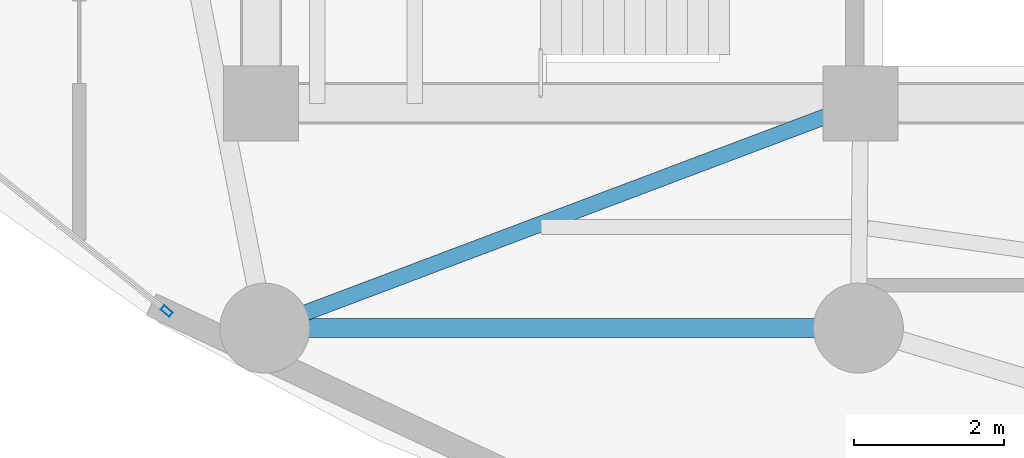
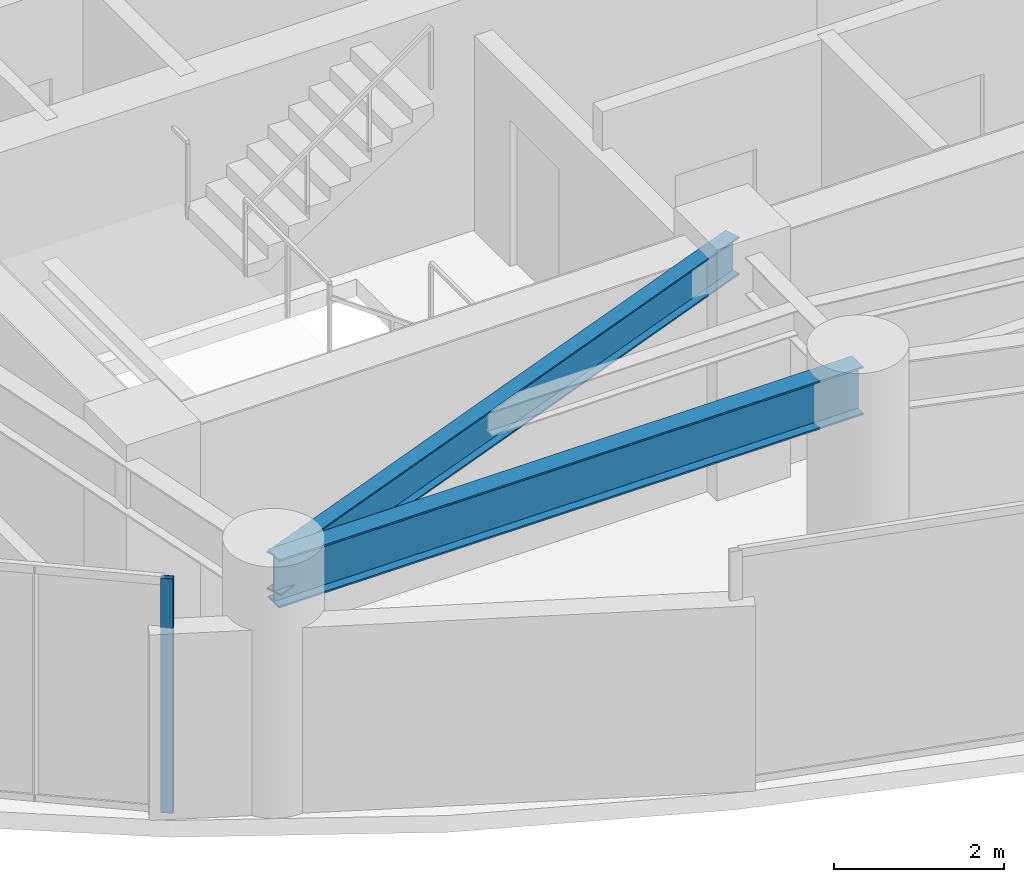
# One storey, part 2 of 34: 2 beams, 1 member, 1 element without a shape of its own.
"""IFC4 building model written with IfcOpenShell, lengths in metres."""

from ifc_helpers import new_model, si_unit, direction, frame, origin, origin_2d, place, context, subcontext, project, spatial, hollow_rectangle, i_section, extrude, material, layer, layer_set, material_profile, profile_set, type_object, element, aggregate, save


model = new_model("IFC4")

# Units and contexts
model_context = context("Model", 3, precision=1e-05, world=origin(), true_north=direction((0.0, 1.0)))
body_context = subcontext(model_context, "Body", "Model", "MODEL_VIEW")
ifc_project = project(units=[si_unit("LENGTHUNIT", "METRE"), si_unit("AREAUNIT", "SQUARE_METRE"), si_unit("VOLUMEUNIT", "CUBIC_METRE"), si_unit("PLANEANGLEUNIT", "RADIAN"), si_unit("MASSUNIT", "GRAM", prefix="KILO")], contexts=[model_context])

# Site, building, storey
site_placement = place(None, origin())
site = spatial("IfcSite", under=ifc_project, at=site_placement, CompositionType="ELEMENT")
building_placement = place(site_placement, origin())
building = spatial("IfcBuilding", under=site, at=building_placement, Name="Kazevale Care Tower and Concert Hall", CompositionType="ELEMENT")
storey_placement = place(building_placement, frame((0.0, 0.0, 167.39990234375)))
storey = spatial("IfcBuildingStorey", under=building, at=storey_placement, Name="L44", CompositionType="ELEMENT", Elevation=167.39990234375)

# Curtain wall, member
ifc_material_1 = material(Name="Aluminium 6063-T6 and Low-E Glass", Category="aluminium")
ifc_layer = layer(ifc_material_1, 0.179931640625)
ifc_layer_set = layer_set([ifc_layer], Name="Aluminium 6063-T6 and Low-E Glass")
curtain_wall_type = type_object("IfcCurtainWallType", Name="Sheltered Concave Balcony Curtain Wall CW-5", PredefinedType="NOTDEFINED", material=ifc_layer_set)
curtain_wall_placement = place(storey_placement, origin())
curtain_wall = element("IfcCurtainWall", 1, at=curtain_wall_placement, inside=storey, type_object=curtain_wall_type, Name="cw:L44:f10", PredefinedType="NOTDEFINED")
ifc_material_2 = material(Name="Aluminium 6063-T6", Category="aluminium")
ifc_material_profile_1 = material_profile(ifc_material_2, hollow_rectangle(XDim=0.074951171875, YDim=0.14990234375, WallThickness=0.00390625, at=origin_2d()), Name="ALU75x150x4")
ifc_profile_set_1 = profile_set([ifc_material_profile_1], Name="Aluminium 6063-T6")
member_type = type_object("IfcMemberType", Name="CW-5 Mullion ALU75x150x4", PredefinedType="MULLION", material=ifc_profile_set_1)
member_placement = place(storey_placement, frame((20.74072265625, 20.826416015625, 0.0), z_axis=(0.0, 0.0, 1.0), x_axis=(-0.626905357502, -0.779095419531, 0.0)))
member = element("IfcMember", 2, at=member_placement, type_object=member_type, Name="CW-5 mullion 1", PredefinedType="MULLION", context=body_context, shape_type="SweptSolid", body=[
    extrude(hollow_rectangle(XDim=0.074951171875, YDim=0.14990234375, WallThickness=0.00390625, at=origin_2d()), origin(), (0.0, 0.0, 1.0), 3.360107421875),
])
aggregate(curtain_wall, [member])

# Beams
ifc_material_3 = material(Name="Steel ASTM A572 Gr 50", Category="steel")
ifc_material_profile_2 = material_profile(ifc_material_3, i_section(OverallWidth=0.2119140625, OverallDepth=0.5439453125, WebThickness=0.01318359375, FlangeThickness=0.021240234375, at=origin_2d()), Name="W530x123")
ifc_profile_set_2 = profile_set([ifc_material_profile_2], Name="Steel ASTM A572 Gr 50")
beam_type_1 = type_object("IfcBeamType", Name="Radial Floor Girder W530x123", PredefinedType="BEAM", material=ifc_profile_set_2)
beam_1_placement = place(storey_placement, frame((30.0, 23.60009765625, 3.088134765625), z_axis=(-0.935601002663, -0.353059150592, 0.0), x_axis=(0.353059150592, -0.935601002663, 0.0)))
element("IfcBeam", 3, at=beam_1_placement, inside=storey, type_object=beam_type_1, Name="beam:L44:rad:10", PredefinedType="BEAM", context=body_context, shape_type="SweptSolid", body=[
    extrude(i_section(OverallWidth=0.2119140625, OverallDepth=0.5439453125, WebThickness=0.01318359375, FlangeThickness=0.021240234375, at=origin_2d()), origin(), (0.0, 0.0, 1.0), 8.4970703125),
])
ifc_material_profile_3 = material_profile(ifc_material_3, i_section(OverallWidth=0.256103515625, OverallDepth=0.693115234375, WebThickness=0.014404296875, FlangeThickness=0.023681640625, at=origin_2d()), Name="W690x170")
ifc_profile_set_3 = profile_set([ifc_material_profile_3], Name="Steel ASTM A572 Gr 50")
beam_type_2 = type_object("IfcBeamType", Name="Waist Ring Beam W690x170", PredefinedType="BEAM", material=ifc_profile_set_3)
beam_2_placement = place(storey_placement, frame((22.050048828125, 20.60009765625, 3.013671875), z_axis=(1.0, 0.0, 0.0), x_axis=(0.0, 1.0, 0.0)))
element("IfcBeam", 4, at=beam_2_placement, inside=storey, type_object=beam_type_2, Name="beam:L44:ring:10", PredefinedType="BEAM", context=body_context, shape_type="SweptSolid", body=[
    extrude(i_section(OverallWidth=0.256103515625, OverallDepth=0.693115234375, WebThickness=0.014404296875, FlangeThickness=0.023681640625, at=origin_2d()), origin(), (0.0, 0.0, 1.0), 7.919921875),
])

save(model, "model.ifc")
